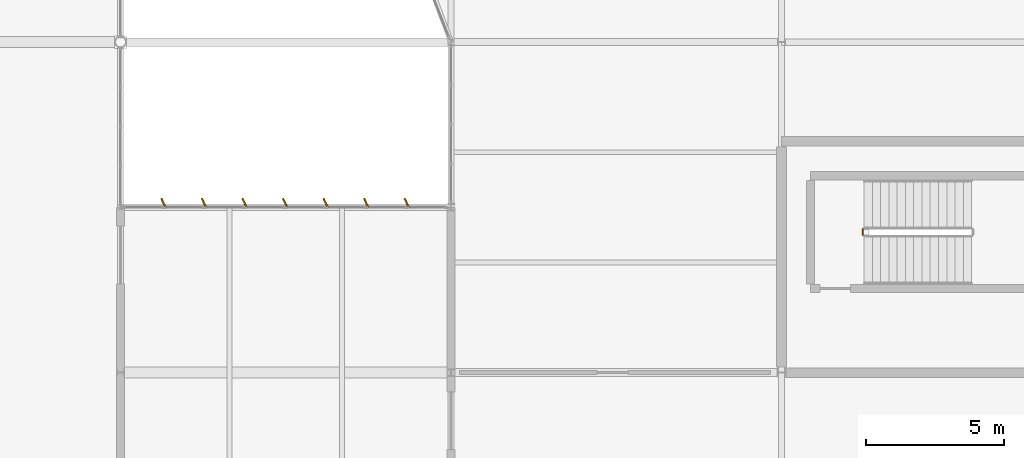
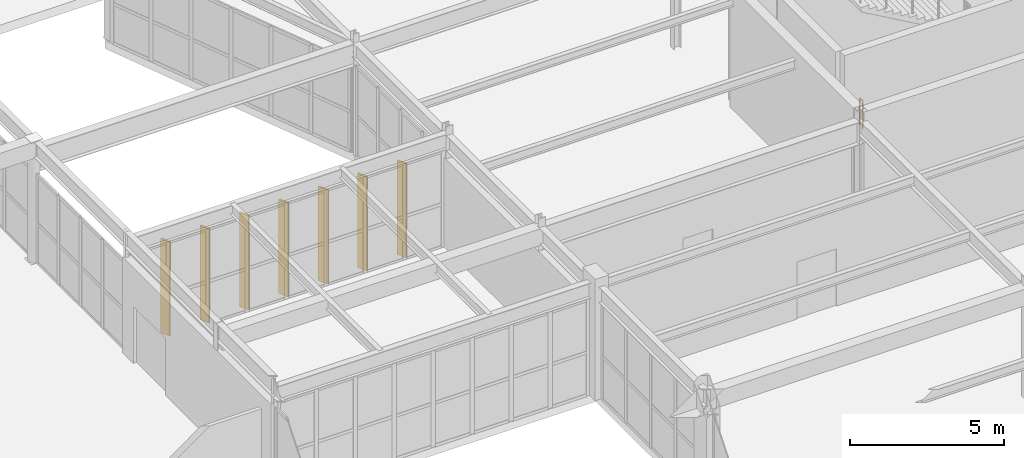
# One storey, part 177 of 186: 7 shading devices, 1 railing.
"""IFC4 building model written with IfcOpenShell, lengths in metres."""

from ifc_helpers import new_model, si_unit, direction, frame, origin, origin_2d, place, context, subcontext, project, spatial, rectangle, circle, extrude, material, layer, layer_set, type_object, element, save


model = new_model("IFC4")

# Units and contexts
model_context = context("Model", 3, precision=1e-05, world=origin(), true_north=direction((0.0, 1.0)))
body_context = subcontext(model_context, "Body", "Model", "MODEL_VIEW")
ifc_project = project(units=[si_unit("LENGTHUNIT", "METRE"), si_unit("AREAUNIT", "SQUARE_METRE"), si_unit("VOLUMEUNIT", "CUBIC_METRE"), si_unit("PLANEANGLEUNIT", "RADIAN"), si_unit("MASSUNIT", "GRAM", prefix="KILO")], contexts=[model_context])

# Site, building, storey
site_placement = place(None, origin())
site = spatial("IfcSite", under=ifc_project, at=site_placement, CompositionType="ELEMENT")
building_placement = place(site_placement, origin())
building = spatial("IfcBuilding", under=site, at=building_placement, Name="Tarnwether General Hospital", CompositionType="ELEMENT")
storey_placement = place(building_placement, frame((0.0, 0.0, 9.60009765625)))
storey = spatial("IfcBuildingStorey", under=building, at=storey_placement, Name="L02", CompositionType="ELEMENT", Elevation=9.60009765625)

# Railing
ifc_material_1 = material(Name="Anodised aluminium", Category="aluminium")
railing_type = type_object("IfcRailingType", Name="RL-GRD-INT", PredefinedType="GUARDRAIL", material=ifc_material_1)
railing_placement = place(storey_placement, frame((158.949951171875, 26.60009765625, 0.0)))
element("IfcRailing", 1, at=railing_placement, inside=storey, type_object=railing_type, Name="L02 ST-05 stair guard 4", PredefinedType="GUARDRAIL", context=body_context, shape_type="SweptSolid", body=[
    extrude(circle(Radius=0.02392578125, at=origin_2d()), frame((0.0, 0.0, 1.076171875), z_axis=(0.0, 1.0, 0.0), x_axis=(-1.0, 0.0, 0.0)), (0.0, 0.0, 1.0), 0.199951171875),
    extrude(circle(Radius=0.02099609375, at=origin_2d()), origin(), (0.0, 0.0, 1.0), 1.052001953125),
    extrude(circle(Radius=0.02099609375, at=origin_2d()), frame((0.0, 0.199951171875, 0.0)), (0.0, 0.0, 1.0), 1.052001953125),
])

# Shading devices
ifc_material_2 = material(Name="Champagne-bronze anodised aluminium", Category="aluminium")
ifc_layer = layer(ifc_material_2, 0.06005859375)
ifc_layer_set = layer_set([ifc_layer], Name="Champagne-bronze anodised aluminium")
shading_device_type = type_object("IfcShadingDeviceType", Name="SH-FIN-BRZ", PredefinedType="USERDEFINED", material=ifc_layer_set)
for number, where, z_axis, x_axis, name in (
    (2, (133.556884765625, 27.760009765625, 0.0498046875), (0.0, 0.0, 1.0), (0.906307787037, 0.422618261741, 0.0), "Champagne-Bronze Brise-Soleil Fin 0544"),
    (3, (135.029052734375, 27.760009765625, 0.0498046875), (0.0, 0.0, 1.0), (0.906307787037, 0.422618261741, 0.0), "Champagne-Bronze Brise-Soleil Fin 0545"),
    (4, (136.501953125, 27.760009765625, 0.0498046875), (0.0, 0.0, 1.0), (0.906307787037, 0.422618261741, 0.0), "Champagne-Bronze Brise-Soleil Fin 0546"),
    (5, (137.97509765625, 27.760009765625, 0.0498046875), (0.0, 0.0, 1.0), (0.906307787037, 0.422618261741, 0.0), "Champagne-Bronze Brise-Soleil Fin 0547"),
    (6, (139.447021484375, 27.760009765625, 0.0498046875), (0.0, 0.0, 1.0), (0.906307787037, 0.422618261741, 0.0), "Champagne-Bronze Brise-Soleil Fin 0548"),
    (7, (140.919921875, 27.760009765625, 0.0498046875), (0.0, 0.0, 1.0), (0.906307787037, 0.422618261741, 0.0), "Champagne-Bronze Brise-Soleil Fin 0549"),
    (8, (142.39208984375, 27.760009765625, 0.0498046875), (0.0, 0.0, 1.0), (0.906307787037, 0.422618261741, 0.0), "Champagne-Bronze Brise-Soleil Fin 0550"),
):
    element("IfcShadingDevice", number, at=place(storey_placement, frame(where, z_axis=z_axis, x_axis=x_axis)), inside=storey, type_object=shading_device_type, Name=name, ObjectType="SOLAR FIN", PredefinedType="USERDEFINED", context=body_context, shape_type="SweptSolid", body=[
        extrude(rectangle(XDim=0.06005859375, YDim=0.360107421875, at=origin_2d()), origin(), (0.0, 0.0, 1.0), 3.722900390625),
    ])

save(model, "model.ifc")
